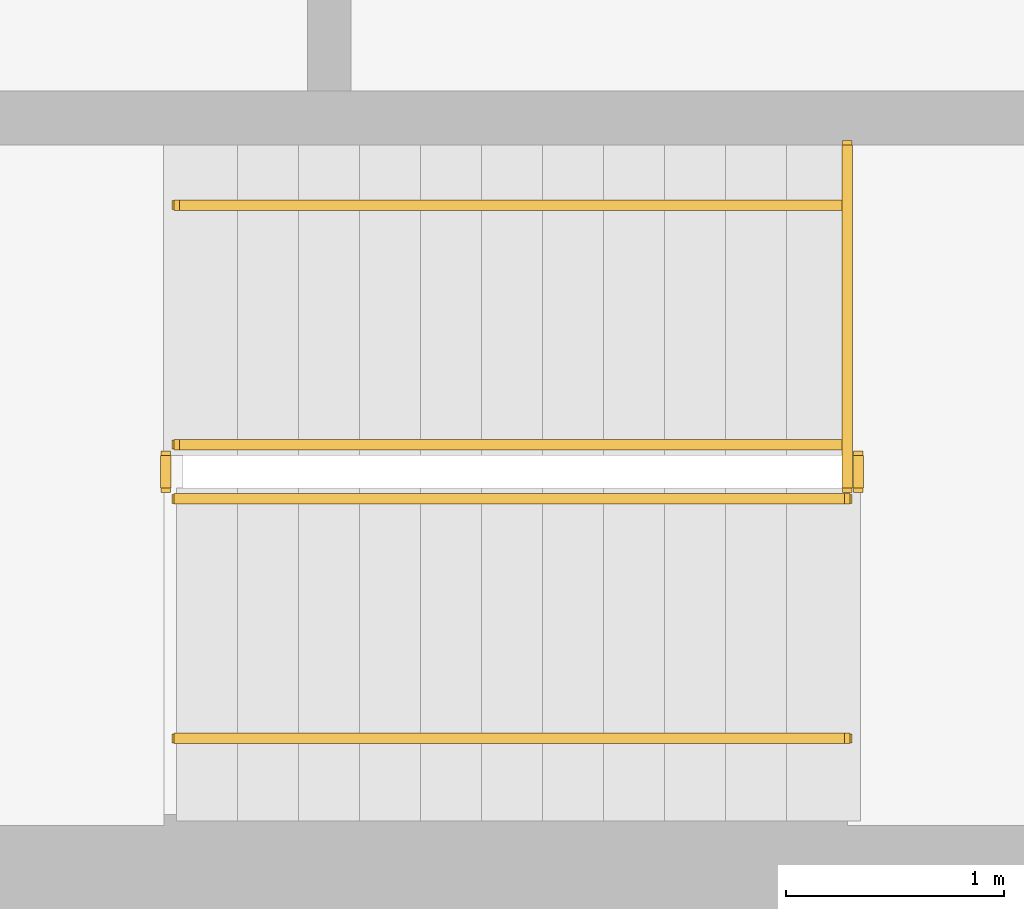
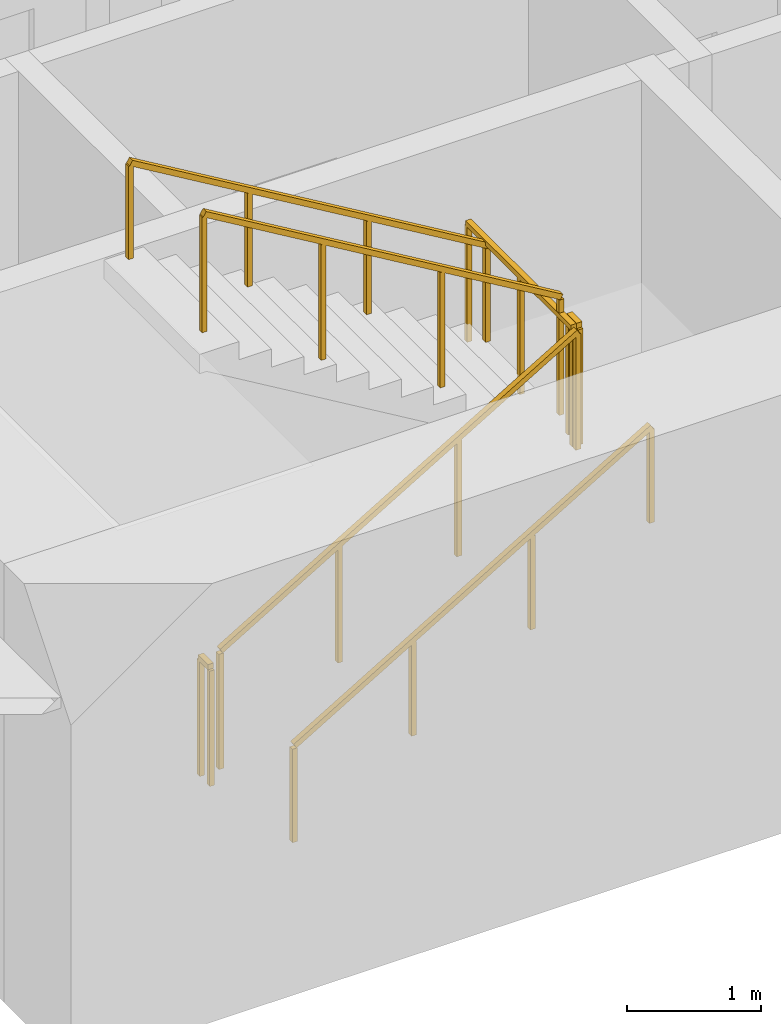
# One storey, part 13 of 16: 7 railings.
"""IFC4 building model written with IfcOpenShell, lengths in metres."""

from ifc_helpers import new_model, si_unit, direction, frame, origin, origin_2d, place, context, subcontext, project, spatial, rectangle, extrude, material, type_object, element, save


model = new_model("IFC4")

# Units and contexts
model_context = context("Model", 3, precision=1e-05, world=origin(), true_north=direction((0.0, 1.0)))
body_context = subcontext(model_context, "Body", "Model", "MODEL_VIEW")
ifc_project = project(units=[si_unit("LENGTHUNIT", "METRE"), si_unit("AREAUNIT", "SQUARE_METRE"), si_unit("VOLUMEUNIT", "CUBIC_METRE"), si_unit("PLANEANGLEUNIT", "RADIAN"), si_unit("MASSUNIT", "GRAM", prefix="KILO")], contexts=[model_context])

# Site, building, storey
site_placement = place(None, origin())
site = spatial("IfcSite", under=ifc_project, at=site_placement, CompositionType="ELEMENT")
building_placement = place(site_placement, origin())
building = spatial("IfcBuilding", under=site, at=building_placement, Name="Sennacour Bend Tower", CompositionType="ELEMENT")
storey_placement = place(building_placement, frame((0.0, 0.0, 159.0)))
storey = spatial("IfcBuildingStorey", under=building, at=storey_placement, Name="L36", CompositionType="ELEMENT", Elevation=159.0)

# Railings
ifc_material = material(Name="Stainless steel", Category="steel")
railing_type_1 = type_object("IfcRailingType", Name="RL-GUARD-1100", PredefinedType="GUARDRAIL", material=ifc_material)
railing_1_placement = place(storey_placement, frame((56.699951171875, 2.449951171875, 0.166748046875)))
element("IfcRailing", 1, at=railing_1_placement, inside=storey, type_object=railing_type_1, Name="L36 SA1 stair guard 1", PredefinedType="GUARDRAIL", context=body_context, shape_type="SweptSolid", body=[
    extrude(rectangle(XDim=0.048095703125, YDim=0.048095703125, at=origin_2d()), frame((0.0, 0.0, 1.076171875), z_axis=(0.859308565015, 0.0, 0.511457515432), x_axis=(0.0, 1.0, 0.0)), (0.0, 0.0, 1.0), 3.58447265625),
    extrude(rectangle(XDim=0.0419921875, YDim=0.0419921875, at=origin_2d()), origin(), (0.0, 0.0, 1.0), 1.052001953125),
    extrude(rectangle(XDim=0.0419921875, YDim=0.0419921875, at=origin_2d()), frame((1.026611328125, 0.0, 0.611083984375)), (0.0, 0.0, 1.0), 1.052001953125),
    extrude(rectangle(XDim=0.0419921875, YDim=0.0419921875, at=origin_2d()), frame((2.053466796875, 0.0, 1.22216796875)), (0.0, 0.0, 1.0), 1.052001953125),
    extrude(rectangle(XDim=0.0419921875, YDim=0.0419921875, at=origin_2d()), frame((3.080078125, 0.0, 1.833251953125)), (0.0, 0.0, 1.0), 1.052001953125),
])
railing_2_placement = place(storey_placement, frame((59.830078125, 2.5, 2.0)))
element("IfcRailing", 2, at=railing_2_placement, inside=storey, type_object=railing_type_1, Name="L36 SA1 stair guard 2", PredefinedType="GUARDRAIL", context=body_context, shape_type="SweptSolid", body=[
    extrude(rectangle(XDim=0.048095703125, YDim=0.048095703125, at=origin_2d()), frame((0.0, 0.0, 1.076171875), z_axis=(0.0, 1.0, 0.0), x_axis=(-1.0, 0.0, 0.0)), (0.0, 0.0, 1.0), 0.14990234375),
    extrude(rectangle(XDim=0.0419921875, YDim=0.0419921875, at=origin_2d()), origin(), (0.0, 0.0, 1.0), 1.052001953125),
    extrude(rectangle(XDim=0.0419921875, YDim=0.0419921875, at=origin_2d()), frame((0.0, 0.14990234375, 0.0)), (0.0, 0.0, 1.0), 1.052001953125),
])
railing_3_placement = place(storey_placement, frame((59.780029296875, 2.699951171875, 2.166748046875)))
element("IfcRailing", 3, at=railing_3_placement, inside=storey, type_object=railing_type_1, Name="L36 SA1 stair guard 4", PredefinedType="GUARDRAIL", context=body_context, shape_type="SweptSolid", body=[
    extrude(rectangle(XDim=0.048095703125, YDim=0.048095703125, at=origin_2d()), frame((0.0, 0.0, 1.076171875), z_axis=(-0.859308565015, 0.0, 0.511457515432), x_axis=(0.0, -1.0, 0.0)), (0.0, 0.0, 1.0), 3.58447265625),
    extrude(rectangle(XDim=0.0419921875, YDim=0.0419921875, at=origin_2d()), origin(), (0.0, 0.0, 1.0), 1.052001953125),
    extrude(rectangle(XDim=0.0419921875, YDim=0.0419921875, at=origin_2d()), frame((-1.026611328125, 0.0, 0.611083984375)), (0.0, 0.0, 1.0), 1.052001953125),
    extrude(rectangle(XDim=0.0419921875, YDim=0.0419921875, at=origin_2d()), frame((-2.053466796875, 0.0, 1.22216796875)), (0.0, 0.0, 1.0), 1.052001953125),
    extrude(rectangle(XDim=0.0419921875, YDim=0.0419921875, at=origin_2d()), frame((-3.080078125, 0.0, 1.833251953125)), (0.0, 0.0, 1.0), 1.052001953125),
])
railing_4_placement = place(storey_placement, frame((56.64990234375, 2.5, 0.0)))
element("IfcRailing", 4, at=railing_4_placement, inside=storey, type_object=railing_type_1, Name="L36 SA1 stair guard 5", PredefinedType="GUARDRAIL", context=body_context, shape_type="SweptSolid", body=[
    extrude(rectangle(XDim=0.048095703125, YDim=0.048095703125, at=origin_2d()), frame((0.0, 0.0, 1.076171875), z_axis=(0.0, 1.0, 0.0), x_axis=(-1.0, 0.0, 0.0)), (0.0, 0.0, 1.0), 0.14990234375),
    extrude(rectangle(XDim=0.0419921875, YDim=0.0419921875, at=origin_2d()), origin(), (0.0, 0.0, 1.0), 1.052001953125),
    extrude(rectangle(XDim=0.0419921875, YDim=0.0419921875, at=origin_2d()), frame((0.0, 0.14990234375, 0.0)), (0.0, 0.0, 1.0), 1.052001953125),
])
railing_5_placement = place(storey_placement, frame((59.780029296875, 2.5, 2.0)))
element("IfcRailing", 5, at=railing_5_placement, inside=storey, type_object=railing_type_1, Name="L36 SA1 landing edge guard 56", PredefinedType="GUARDRAIL", context=body_context, shape_type="SweptSolid", body=[
    extrude(rectangle(XDim=0.048095703125, YDim=0.048095703125, at=origin_2d()), frame((0.0, 0.0, 1.076171875), z_axis=(0.0, 1.0, 0.0), x_axis=(-1.0, 0.0, 0.0)), (0.0, 0.0, 1.0), 1.574951171875),
    extrude(rectangle(XDim=0.0419921875, YDim=0.0419921875, at=origin_2d()), origin(), (0.0, 0.0, 1.0), 1.052001953125),
    extrude(rectangle(XDim=0.0419921875, YDim=0.0419921875, at=origin_2d()), frame((0.0, 0.78759765625, 0.0)), (0.0, 0.0, 1.0), 1.052001953125),
    extrude(rectangle(XDim=0.0419921875, YDim=0.0419921875, at=origin_2d()), frame((0.0, 1.574951171875, 0.0)), (0.0, 0.0, 1.0), 1.052001953125),
])
railing_type_2 = type_object("IfcRailingType", Name="RL-HANDRAIL-900", PredefinedType="HANDRAIL", material=ifc_material)
railing_6_placement = place(storey_placement, frame((56.699951171875, 1.35009765625, 0.166748046875)))
element("IfcRailing", 6, at=railing_6_placement, inside=storey, type_object=railing_type_2, Name="L36 SA1 stair handrail 1", PredefinedType="HANDRAIL", context=body_context, shape_type="SweptSolid", body=[
    extrude(rectangle(XDim=0.048095703125, YDim=0.048095703125, at=origin_2d()), frame((0.0, 0.0, 0.8759765625), z_axis=(0.859308565015, 0.0, 0.511457515432), x_axis=(0.0, 1.0, 0.0)), (0.0, 0.0, 1.0), 3.58447265625),
    extrude(rectangle(XDim=0.0419921875, YDim=0.0419921875, at=origin_2d()), origin(), (0.0, 0.0, 1.0), 0.851806640625),
    extrude(rectangle(XDim=0.0419921875, YDim=0.0419921875, at=origin_2d()), frame((1.026611328125, 0.0, 0.611083984375)), (0.0, 0.0, 1.0), 0.851806640625),
    extrude(rectangle(XDim=0.0419921875, YDim=0.0419921875, at=origin_2d()), frame((2.053466796875, 0.0, 1.22216796875)), (0.0, 0.0, 1.0), 0.851806640625),
    extrude(rectangle(XDim=0.0419921875, YDim=0.0419921875, at=origin_2d()), frame((3.080078125, 0.0, 1.833251953125)), (0.0, 0.0, 1.0), 0.851806640625),
])
railing_7_placement = place(storey_placement, frame((59.780029296875, 3.800048828125, 2.166748046875)))
element("IfcRailing", 7, at=railing_7_placement, inside=storey, type_object=railing_type_2, Name="L36 SA1 stair handrail 2", PredefinedType="HANDRAIL", context=body_context, shape_type="SweptSolid", body=[
    extrude(rectangle(XDim=0.048095703125, YDim=0.048095703125, at=origin_2d()), frame((0.0, 0.0, 0.8759765625), z_axis=(-0.859308565015, 0.0, 0.511457515432), x_axis=(0.0, -1.0, 0.0)), (0.0, 0.0, 1.0), 3.58447265625),
    extrude(rectangle(XDim=0.0419921875, YDim=0.0419921875, at=origin_2d()), origin(), (0.0, 0.0, 1.0), 0.851806640625),
    extrude(rectangle(XDim=0.0419921875, YDim=0.0419921875, at=origin_2d()), frame((-1.026611328125, 0.0, 0.611083984375)), (0.0, 0.0, 1.0), 0.851806640625),
    extrude(rectangle(XDim=0.0419921875, YDim=0.0419921875, at=origin_2d()), frame((-2.053466796875, 0.0, 1.22216796875)), (0.0, 0.0, 1.0), 0.851806640625),
    extrude(rectangle(XDim=0.0419921875, YDim=0.0419921875, at=origin_2d()), frame((-3.080078125, 0.0, 1.833251953125)), (0.0, 0.0, 1.0), 0.851806640625),
])

save(model, "model.ifc")
